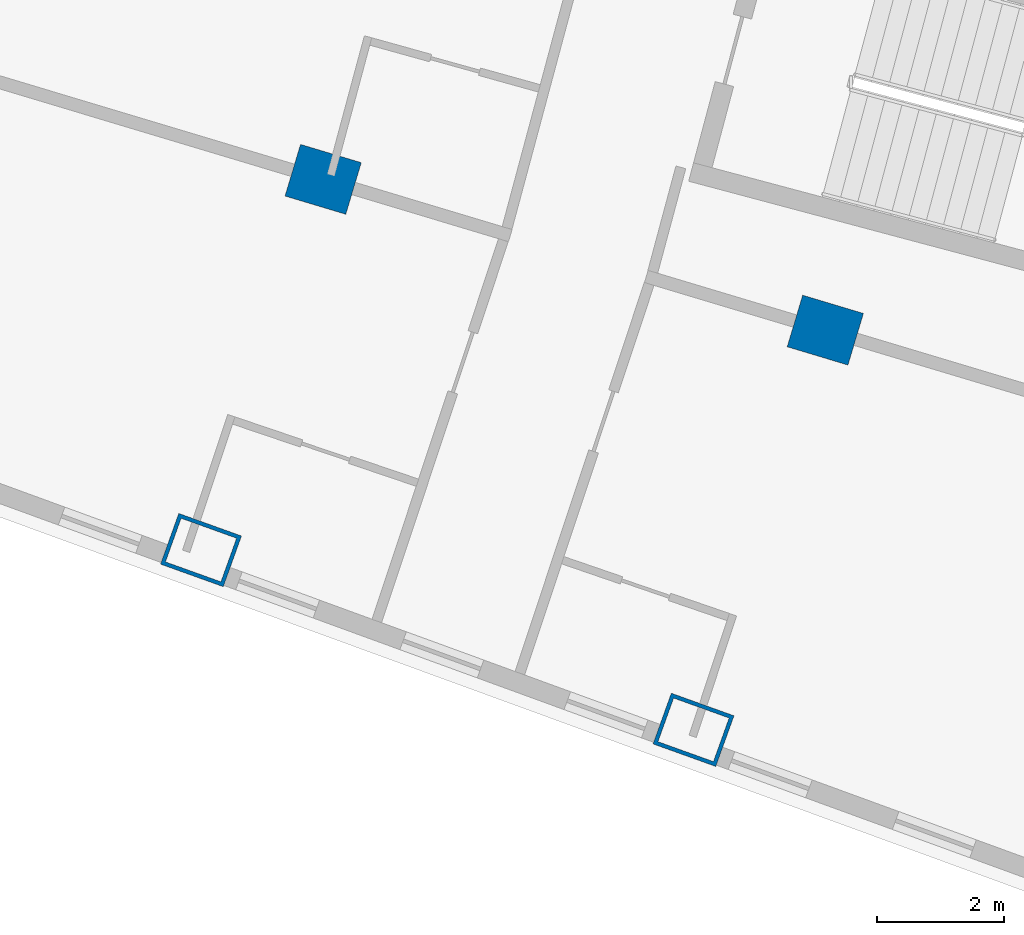
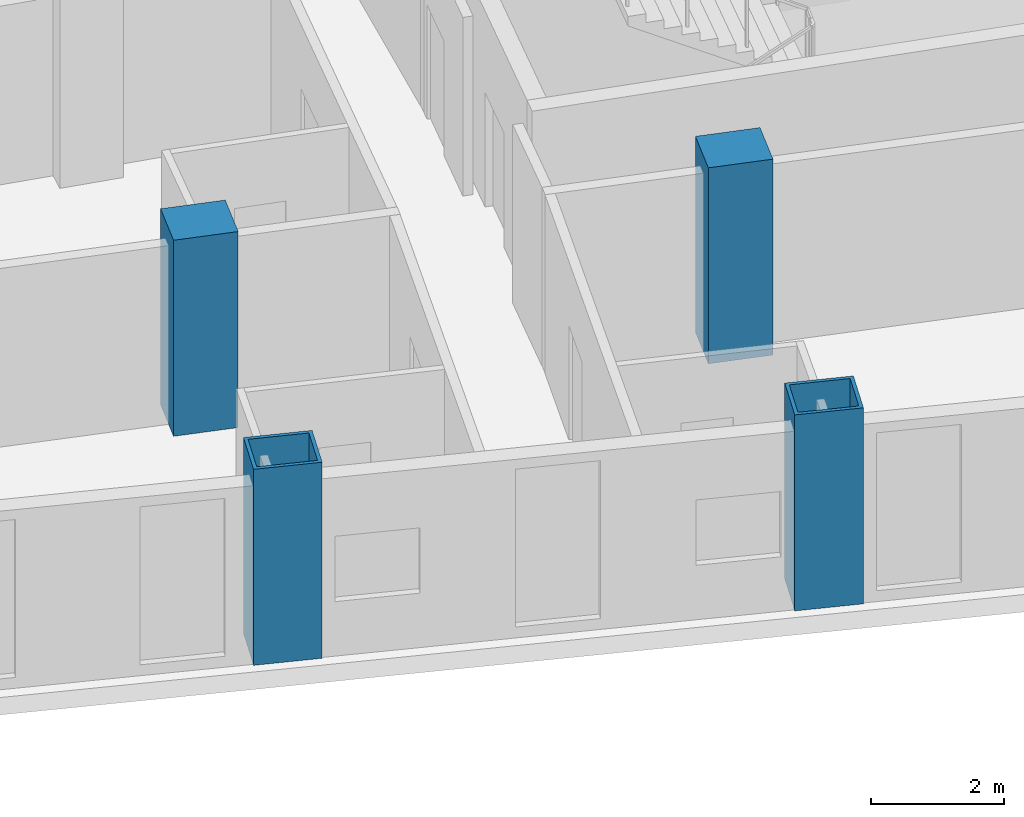
# One storey, part 2 of 25: 4 columns.
"""IFC4 building model written with IfcOpenShell, lengths in metres."""

from ifc_helpers import new_model, si_unit, direction, frame, origin, origin_2d, place, context, subcontext, project, spatial, rectangle, hollow_rectangle, extrude, material, material_profile, profile_set, type_object, element, save


model = new_model("IFC4")

# Units and contexts
model_context = context("Model", 3, precision=1e-05, world=origin(), true_north=direction((0.0, 1.0)))
body_context = subcontext(model_context, "Body", "Model", "MODEL_VIEW")
ifc_project = project(units=[si_unit("LENGTHUNIT", "METRE"), si_unit("AREAUNIT", "SQUARE_METRE"), si_unit("VOLUMEUNIT", "CUBIC_METRE"), si_unit("PLANEANGLEUNIT", "RADIAN"), si_unit("MASSUNIT", "GRAM", prefix="KILO")], contexts=[model_context])

# Site, building, storey
site_placement = place(None, origin())
site = spatial("IfcSite", under=ifc_project, at=site_placement, CompositionType="ELEMENT")
building_placement = place(site_placement, origin())
building = spatial("IfcBuilding", under=site, at=building_placement, Name="Alderwake Tower", CompositionType="ELEMENT")
storey_placement = place(building_placement, frame((0.0, 0.0, 118.39990234375)))
storey = spatial("IfcBuildingStorey", under=building, at=storey_placement, Name="L29", CompositionType="ELEMENT", Elevation=118.39990234375)

# Columns
ifc_material_1 = material(Name="Steel ASTM A572 Grade 50 concrete filled C70/85", Category="concrete")
ifc_material_profile_1 = material_profile(ifc_material_1, hollow_rectangle(XDim=0.85009765625, YDim=1.050048828125, WallThickness=0.06005859375, at=origin_2d()), Name="BOX 1050X850X60")
ifc_profile_set_1 = profile_set([ifc_material_profile_1], Name="Steel ASTM A572 Grade 50 concrete filled C70/85")
column_type_1 = type_object("IfcColumnType", Name="End column Z2", PredefinedType="COLUMN", material=ifc_profile_set_1)
for number, where, z_axis, x_axis, name in (
    (1, (28.983642578125, 21.856689453125, 0.0), (0.0, 0.0, 1.0), (0.338026774049, 0.941136493834, 0.0), "Column R01-C2"),
    (2, (36.749267578125, 19.02197265625, 0.0), (0.0, 0.0, 1.0), (0.338351987283, 0.941019623973, 0.0), "Column R01-C3"),
):
    element("IfcColumn", number, at=place(storey_placement, frame(where, z_axis=z_axis, x_axis=x_axis)), inside=storey, type_object=column_type_1, Name=name, PredefinedType="COLUMN", context=body_context, shape_type="SweptSolid", body=[
        extrude(hollow_rectangle(XDim=0.85009765625, YDim=1.050048828125, WallThickness=0.06005859375, at=origin_2d()), origin(), (0.0, 0.0, 1.0), 3.60009765625),
    ])
ifc_material_2 = material(Name="Concrete C70/85", Category="concrete")
ifc_material_profile_2 = material_profile(ifc_material_2, rectangle(XDim=0.85009765625, YDim=1.0, at=origin_2d()), Name="RC 1000X850")
ifc_profile_set_2 = profile_set([ifc_material_profile_2], Name="Concrete C70/85")
column_type_2 = type_object("IfcColumnType", Name="Interior column Z2", PredefinedType="COLUMN", material=ifc_profile_set_2)
for number, where, z_axis, x_axis, name in (
    (3, (30.9091796875, 27.701904296875, 0.0), (0.0, 0.0, 1.0), (0.287549418125, 0.957765802342, 0.0), "Column R02-C2"),
    (4, (38.826904296875, 25.32470703125, 0.0), (0.0, 0.0, 1.0), (0.287547746508, 0.957766304209, 0.0), "Column R02-C3"),
):
    element("IfcColumn", number, at=place(storey_placement, frame(where, z_axis=z_axis, x_axis=x_axis)), inside=storey, type_object=column_type_2, Name=name, PredefinedType="COLUMN", context=body_context, shape_type="SweptSolid", body=[
        extrude(rectangle(XDim=0.85009765625, YDim=1.0, at=origin_2d()), origin(), (0.0, 0.0, 1.0), 3.60009765625),
    ])

save(model, "model.ifc")
